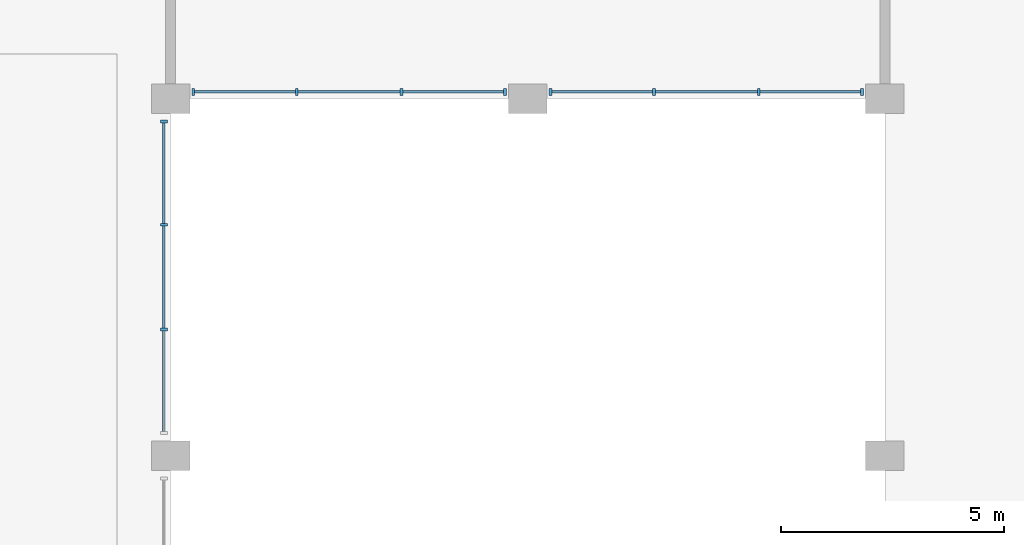
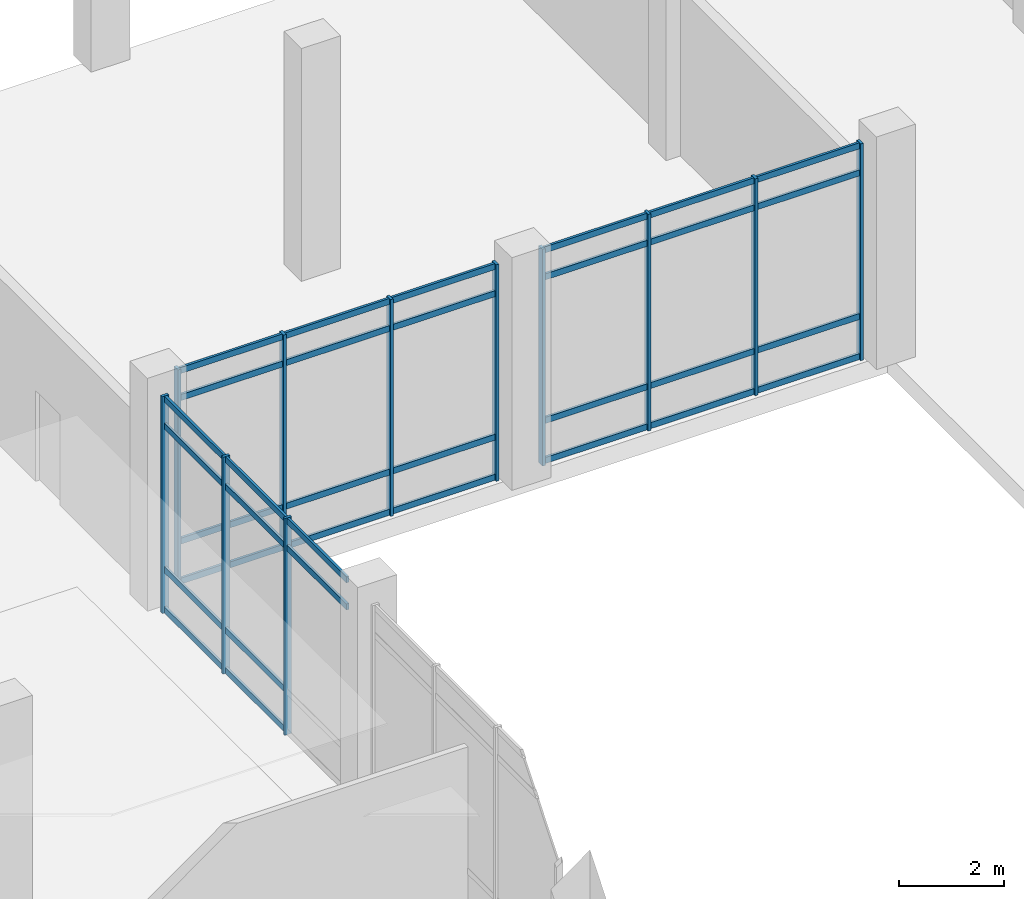
# One storey, part 14 of 42: 45 members, 3 elements without a shape of their own.
"""IFC4 building model written with IfcOpenShell, lengths in metres."""

import ifcopenshell
import ifcopenshell.guid

model = None  # the IFC model being written
_history = None  # IfcOwnerHistory: only IFC2X3 demands one
_inside = {}  # id of a spatial element -> (the spatial element, [elements in it])
_under = {}  # id of a project, library or spatial element -> (it, [spatial elements below it])
_declared = {}  # id of a project -> (the project, [libraries it declares])
_typed = {}  # id of a type object -> (the type object, [elements of that type])
_made_of = {}  # id of a material, layer set ... -> (it, [elements and type objects made of it])


def new_model(schema):
    """Start an empty IFC model of exactly this schema.

    Asked for "IFC4X3", IfcOpenShell would pick the latest addendum, in which some entities
    have other attributes; the version numbers below select the first issue.
    IFC2X3 requires an IfcOwnerHistory on every rooted entity: one is made here for all.
    """
    global model, _history
    if schema == "IFC4X3":
        model = ifcopenshell.file(schema_version=(4, 3, 0, 0))
    else:
        model = ifcopenshell.file(schema=schema)
    _inside.clear()
    _under.clear()
    _declared.clear()
    _typed.clear()
    _made_of.clear()
    _history = None
    if model.schema == "IFC2X3":
        org = make("IfcOrganization", Name="unknown")
        user = make(
            "IfcPersonAndOrganization",
            ThePerson=make("IfcPerson", FamilyName="unknown"),
            TheOrganization=org,
        )
        app = make(
            "IfcApplication",
            ApplicationDeveloper=org,
            Version="unknown",
            ApplicationFullName="unknown",
            ApplicationIdentifier="unknown",
        )
        _history = make(
            "IfcOwnerHistory",
            OwningUser=user,
            OwningApplication=app,
            ChangeAction="ADDED",
            CreationDate=0,
        )
    return model


def make(cls, **values):
    """One entity of the class cls with the attributes given. An attribute that is None is left unset."""
    return model.create_entity(
        cls, **{name: value for name, value in values.items() if value is not None}
    )


def rooted(cls, **values):
    """An entity with a GlobalId (a new one), such as an element, a storey or a relation."""
    return make(cls, GlobalId=ifcopenshell.guid.new(), OwnerHistory=_history, **values)


def si_unit(unit_type, name, prefix=None):
    """IfcSIUnit, for example si_unit("LENGTHUNIT", "METRE", prefix="MILLI")."""
    return make("IfcSIUnit", UnitType=unit_type, Prefix=prefix, Name=name)


def assignment(units):
    """IfcUnitAssignment: the units of a project."""
    return None if units is None else make("IfcUnitAssignment", Units=units)


def point(xyz):
    """IfcCartesianPoint."""
    return None if xyz is None else make("IfcCartesianPoint", Coordinates=xyz)


def direction(xyz):
    """IfcDirection."""
    return None if xyz is None else make("IfcDirection", DirectionRatios=xyz)


def frame(location, z_axis=None, x_axis=None):
    """IfcAxis2Placement3D, a coordinate frame: its origin and axes. An axis left out is left unset."""
    return make(
        "IfcAxis2Placement3D",
        Location=point(location),
        Axis=direction(z_axis),
        RefDirection=direction(x_axis),
    )


def frame_2d(location, x_axis=None):
    """IfcAxis2Placement2D, a coordinate frame in the plane: its origin and x axis."""
    return make(
        "IfcAxis2Placement2D", Location=point(location), RefDirection=direction(x_axis)
    )


def origin():
    """The frame at (0, 0, 0) with its axes left unset."""
    return frame((0.0, 0.0, 0.0))


def origin_2d():
    """The frame at (0, 0) in the plane with its x axis left unset."""
    return frame_2d((0.0, 0.0))


def place(relative_to, where):
    """IfcLocalPlacement: puts the frame where relative to a parent placement (None: the world)."""
    return make(
        "IfcLocalPlacement", PlacementRelTo=relative_to, RelativePlacement=where
    )


def context(
    kind, dimensions, precision=None, world=None, true_north=None, identifier=None
):
    """IfcGeometricRepresentationContext, for example the 3D "Model" context."""
    return make(
        "IfcGeometricRepresentationContext",
        ContextIdentifier=identifier,
        ContextType=kind,
        CoordinateSpaceDimension=dimensions,
        Precision=precision,
        WorldCoordinateSystem=world,
        TrueNorth=true_north,
    )


def subcontext(parent, identifier, kind, view, scale=None):
    """IfcGeometricRepresentationSubContext, for example "Body" below "Model"."""
    return make(
        "IfcGeometricRepresentationSubContext",
        ContextIdentifier=identifier,
        ContextType=kind,
        ParentContext=parent,
        TargetScale=scale,
        TargetView=view,
    )


def project(units=None, contexts=None):
    """IfcProject with its units and contexts."""
    return rooted(
        "IfcProject",
        Name="project",
        RepresentationContexts=contexts,
        UnitsInContext=assignment(units),
    )


def spatial(cls, under=None, at=None, **own):
    """A site, building, storey or space (cls), placed at a placement, below another one or the project."""
    s = rooted(cls, ObjectPlacement=at, **own)
    if under is not None:
        _under.setdefault(under.id(), (under, []))[1].append(s)
    return s


def profile(cls, at=None, kind="AREA", **sizes):
    """A parametric profile (cls). Its sizes go by their IFC names, for example OverallWidth=200.0."""
    return make(cls, ProfileType=kind, Position=at, **sizes)


def rectangle(**sizes):
    """IfcRectangleProfileDef."""
    return profile("IfcRectangleProfileDef", **sizes)


def extrude(swept, where, along, depth):
    """IfcExtrudedAreaSolid: the profile swept, set in the frame where, extruded along a direction by depth."""
    return make(
        "IfcExtrudedAreaSolid",
        SweptArea=swept,
        Position=where,
        ExtrudedDirection=direction(along),
        Depth=depth,
    )


def shape(context_of_items, identifier, shape_type, items):
    """IfcShapeRepresentation: the items that make up one representation, for example the "Body"."""
    return make(
        "IfcShapeRepresentation",
        ContextOfItems=context_of_items,
        RepresentationIdentifier=identifier,
        RepresentationType=shape_type,
        Items=items,
    )


def material(Name=None, Category=None):
    """IfcMaterial."""
    return make("IfcMaterial", Name=Name, Category=Category)


def material_profile(
    of_material, cross_section, Name=None, Category=None, Priority=None
):
    """IfcMaterialProfile: a cross section and its material."""
    return make(
        "IfcMaterialProfile",
        Name=Name,
        Material=of_material,
        Profile=cross_section,
        Priority=Priority,
        Category=Category,
    )


def profile_set(profiles, Name=None, composite=None):
    """IfcMaterialProfileSet."""
    return make(
        "IfcMaterialProfileSet",
        Name=Name,
        MaterialProfiles=profiles,
        CompositeProfile=composite,
    )


def made_of(thing, what):
    """Note that an element or type object is made of a material, layer set ...; save() writes the relation."""
    if what is not None:
        _made_of.setdefault(what.id(), (what, []))[1].append(thing)
    return thing


def type_object(cls, material=None, **own):
    """A type object (cls), such as IfcWallType, which elements share."""
    return made_of(rooted(cls, **own), material)


def element(
    cls,
    number,
    at=None,
    inside=None,
    cuts=None,
    type_object=None,
    material=None,
    context=None,
    identifier="Body",
    shape_type=None,
    held_by="IfcProductDefinitionShape",
    body=None,
    shapes=None,
    **own,
):
    """One element of the class cls, such as IfcWall. Its Tag is "e" and its number.

    at: its placement. inside: the storey or other place that contains it. cuts: it is an
    opening in that element (IfcRelVoidsElement). A single representation is given by context,
    identifier, shape_type and body (its items); several are given by shapes. held_by: the class
    of the entity that holds the representations. save() writes the other relations.
    """
    e = rooted(cls, Tag="e%d" % number, ObjectPlacement=at, **own)
    if body is not None:
        shapes = [shape(context, identifier, shape_type, body)]
    if shapes is not None:
        e.Representation = make(held_by, Representations=shapes)
    if inside is not None:
        _inside.setdefault(inside.id(), (inside, []))[1].append(e)
    if cuts is not None:
        rooted(
            "IfcRelVoidsElement", RelatingBuildingElement=cuts, RelatedOpeningElement=e
        )
    if type_object is not None:
        _typed.setdefault(type_object.id(), (type_object, []))[1].append(e)
    return made_of(e, material)


def aggregate(whole, parts):
    """IfcRelAggregates: a whole, such as a stair, and the parts it consists of."""
    return rooted("IfcRelAggregates", RelatingObject=whole, RelatedObjects=parts)


def save(model, path):
    """Write the relations noted so far, then the file.

    IfcRelAggregates (storeys below a building ...), IfcRelContainedInSpatialStructure (elements
    in a storey), IfcRelDefinesByType, IfcRelAssociatesMaterial and IfcRelDeclares: one each for
    every whole, place, type object, material and project.
    """
    for whole, parts in _under.values():
        aggregate(whole, parts)
    for where, things in _inside.values():
        rooted(
            "IfcRelContainedInSpatialStructure",
            RelatedElements=things,
            RelatingStructure=where,
        )
    for kind, things in _typed.values():
        rooted("IfcRelDefinesByType", RelatedObjects=things, RelatingType=kind)
    for what, things in _made_of.values():
        rooted("IfcRelAssociatesMaterial", RelatedObjects=things, RelatingMaterial=what)
    for by, libraries in _declared.values():
        rooted("IfcRelDeclares", RelatingContext=by, RelatedDefinitions=libraries)
    model.write(path)


model = new_model("IFC4")

# Units and contexts
model_context = context("Model", 3, precision=1e-05, world=origin(), true_north=direction((0.0, 1.0)))
body_context = subcontext(model_context, "Body", "Model", "MODEL_VIEW")
ifc_project = project(units=[si_unit("LENGTHUNIT", "METRE"), si_unit("AREAUNIT", "SQUARE_METRE"), si_unit("VOLUMEUNIT", "CUBIC_METRE"), si_unit("PLANEANGLEUNIT", "RADIAN"), si_unit("MASSUNIT", "GRAM", prefix="KILO")], contexts=[model_context])

# Site, building, storey
site_placement = place(None, origin())
site = spatial("IfcSite", under=ifc_project, at=site_placement, CompositionType="ELEMENT")
building_placement = place(site_placement, origin())
building = spatial("IfcBuilding", under=site, at=building_placement, Name="Pecanmere Concourse Central Library", CompositionType="ELEMENT")
storey_placement = place(building_placement, origin())
storey = spatial("IfcBuildingStorey", under=building, at=storey_placement, Name="L01", CompositionType="ELEMENT", Elevation=0.0)

# Curtain wall, members
ifc_material_1 = material(Name="Clear anodized aluminium alloy 6063-T6", Category="aluminium")
curtain_wall_type = type_object("IfcCurtainWallType", Name="CW_CLOISTER_GLAZ", PredefinedType="USERDEFINED", material=ifc_material_1)
curtain_wall_1_placement = place(storey_placement, origin())
curtain_wall_1 = element("IfcCurtainWall", 1, at=curtain_wall_1_placement, inside=storey, type_object=curtain_wall_type, Name="Unitised Curtain Wall CW-04 L01-105", ObjectType="UNITISED CURTAIN WALL", PredefinedType="USERDEFINED")
ifc_material_2 = material(Name="Clear anodized aluminium alloy 6063-T6", Category="aluminium")
ifc_material_profile_1 = material_profile(ifc_material_2, rectangle(XDim=0.06005859375, YDim=0.14990234375, at=origin_2d()), Name="AL 60x150")
ifc_profile_set_1 = profile_set([ifc_material_profile_1], Name="Clear anodized aluminium alloy 6063-T6")
member_type_1 = type_object("IfcMemberType", Name="CWM_150x60", PredefinedType="MULLION", material=ifc_profile_set_1)
member_1_placement = place(storey_placement, frame((127.85009765625, 84.82666015625, 0.0), z_axis=(0.0, 0.0, 1.0), x_axis=(0.0, 1.0, 0.0)))
member_1 = element("IfcMember", 2, at=member_1_placement, type_object=member_type_1, Name="CW-04 Mullion 2", PredefinedType="MULLION", context=body_context, shape_type="SweptSolid", body=[
    extrude(rectangle(XDim=0.06005859375, YDim=0.14990234375, at=origin_2d()), origin(), (0.0, 0.0, 1.0), 5.030029296875),
])
member_2_placement = place(storey_placement, frame((127.85009765625, 87.17333984375, 0.0), z_axis=(0.0, 0.0, 1.0), x_axis=(0.0, 1.0, 0.0)))
member_2 = element("IfcMember", 3, at=member_2_placement, type_object=member_type_1, Name="CW-04 Mullion 3", PredefinedType="MULLION", context=body_context, shape_type="SweptSolid", body=[
    extrude(rectangle(XDim=0.06005859375, YDim=0.14990234375, at=origin_2d()), origin(), (0.0, 0.0, 1.0), 5.030029296875),
])
member_3_placement = place(storey_placement, frame((127.85009765625, 89.489990234375, 0.0), z_axis=(0.0, 0.0, 1.0), x_axis=(0.0, 1.0, 0.0)))
member_3 = element("IfcMember", 4, at=member_3_placement, type_object=member_type_1, Name="CW-04 Mullion 4", PredefinedType="MULLION", context=body_context, shape_type="SweptSolid", body=[
    extrude(rectangle(XDim=0.06005859375, YDim=0.14990234375, at=origin_2d()), origin(), (0.0, 0.0, 1.0), 5.030029296875),
])

curtain_wall_2_placement = place(storey_placement, origin())
curtain_wall_2 = element("IfcCurtainWall", 5, at=curtain_wall_2_placement, inside=storey, type_object=curtain_wall_type, Name="Unitised Curtain Wall CW-04 L01-108", ObjectType="UNITISED CURTAIN WALL", PredefinedType="USERDEFINED")
member_4_placement = place(storey_placement, frame((135.489990234375, 90.14990234375, 0.0), z_axis=(0.0, 0.0, 1.0), x_axis=(-1.0, 0.0, 0.0)))
member_4 = element("IfcMember", 6, at=member_4_placement, type_object=member_type_1, Name="CW-04 Mullion 1", PredefinedType="MULLION", context=body_context, shape_type="SweptSolid", body=[
    extrude(rectangle(XDim=0.06005859375, YDim=0.14990234375, at=origin_2d()), origin(), (0.0, 0.0, 1.0), 5.030029296875),
])
member_5_placement = place(storey_placement, frame((133.17333984375, 90.14990234375, 0.0), z_axis=(0.0, 0.0, 1.0), x_axis=(-1.0, 0.0, 0.0)))
member_5 = element("IfcMember", 7, at=member_5_placement, type_object=member_type_1, Name="CW-04 Mullion 2", PredefinedType="MULLION", context=body_context, shape_type="SweptSolid", body=[
    extrude(rectangle(XDim=0.06005859375, YDim=0.14990234375, at=origin_2d()), origin(), (0.0, 0.0, 1.0), 5.030029296875),
])
member_6_placement = place(storey_placement, frame((130.82666015625, 90.14990234375, 0.0), z_axis=(0.0, 0.0, 1.0), x_axis=(-1.0, 0.0, 0.0)))
member_6 = element("IfcMember", 8, at=member_6_placement, type_object=member_type_1, Name="CW-04 Mullion 3", PredefinedType="MULLION", context=body_context, shape_type="SweptSolid", body=[
    extrude(rectangle(XDim=0.06005859375, YDim=0.14990234375, at=origin_2d()), origin(), (0.0, 0.0, 1.0), 5.030029296875),
])
member_7_placement = place(storey_placement, frame((128.510009765625, 90.14990234375, 0.0), z_axis=(0.0, 0.0, 1.0), x_axis=(-1.0, 0.0, 0.0)))
member_7 = element("IfcMember", 9, at=member_7_placement, type_object=member_type_1, Name="CW-04 Mullion 4", PredefinedType="MULLION", context=body_context, shape_type="SweptSolid", body=[
    extrude(rectangle(XDim=0.06005859375, YDim=0.14990234375, at=origin_2d()), origin(), (0.0, 0.0, 1.0), 5.030029296875),
])

curtain_wall_3_placement = place(storey_placement, origin())
curtain_wall_3 = element("IfcCurtainWall", 10, at=curtain_wall_3_placement, inside=storey, type_object=curtain_wall_type, Name="Unitised Curtain Wall CW-04 L01-110", ObjectType="UNITISED CURTAIN WALL", PredefinedType="USERDEFINED")
member_8_placement = place(storey_placement, frame((143.489990234375, 90.14990234375, 0.0), z_axis=(0.0, 0.0, 1.0), x_axis=(-1.0, 0.0, 0.0)))
member_8 = element("IfcMember", 11, at=member_8_placement, type_object=member_type_1, Name="CW-04 Mullion 1", PredefinedType="MULLION", context=body_context, shape_type="SweptSolid", body=[
    extrude(rectangle(XDim=0.06005859375, YDim=0.14990234375, at=origin_2d()), origin(), (0.0, 0.0, 1.0), 5.030029296875),
])
member_9_placement = place(storey_placement, frame((141.17333984375, 90.14990234375, 0.0), z_axis=(0.0, 0.0, 1.0), x_axis=(-1.0, 0.0, 0.0)))
member_9 = element("IfcMember", 12, at=member_9_placement, type_object=member_type_1, Name="CW-04 Mullion 2", PredefinedType="MULLION", context=body_context, shape_type="SweptSolid", body=[
    extrude(rectangle(XDim=0.06005859375, YDim=0.14990234375, at=origin_2d()), origin(), (0.0, 0.0, 1.0), 5.030029296875),
])
member_10_placement = place(storey_placement, frame((138.82666015625, 90.14990234375, 0.0), z_axis=(0.0, 0.0, 1.0), x_axis=(-1.0, 0.0, 0.0)))
member_10 = element("IfcMember", 13, at=member_10_placement, type_object=member_type_1, Name="CW-04 Mullion 3", PredefinedType="MULLION", context=body_context, shape_type="SweptSolid", body=[
    extrude(rectangle(XDim=0.06005859375, YDim=0.14990234375, at=origin_2d()), origin(), (0.0, 0.0, 1.0), 5.030029296875),
])
member_11_placement = place(storey_placement, frame((136.510009765625, 90.14990234375, 0.0), z_axis=(0.0, 0.0, 1.0), x_axis=(-1.0, 0.0, 0.0)))
member_11 = element("IfcMember", 14, at=member_11_placement, type_object=member_type_1, Name="CW-04 Mullion 4", PredefinedType="MULLION", context=body_context, shape_type="SweptSolid", body=[
    extrude(rectangle(XDim=0.06005859375, YDim=0.14990234375, at=origin_2d()), origin(), (0.0, 0.0, 1.0), 5.030029296875),
])

# Member
ifc_material_3 = material(Name="Clear anodized aluminium alloy 6063-T6", Category="aluminium")
ifc_material_profile_2 = material_profile(ifc_material_3, rectangle(XDim=0.054931640625, YDim=0.139892578125, at=origin_2d()), Name="AL 55x140")
ifc_profile_set_2 = profile_set([ifc_material_profile_2], Name="Clear anodized aluminium alloy 6063-T6")
member_type_2 = type_object("IfcMemberType", Name="CWT_140x55", PredefinedType="USERDEFINED", material=ifc_profile_set_2)
member_12_placement = place(storey_placement, frame((127.85009765625, 82.5400390625, 4.330078125), z_axis=(0.0, 1.0, 0.0), x_axis=(-1.0, 0.0, 0.0)))
member_12 = element("IfcMember", 15, at=member_12_placement, type_object=member_type_2, Name="CW-04 Transom 1.3", ObjectType="TRANSOM", PredefinedType="USERDEFINED", context=body_context, shape_type="SweptSolid", body=[
    extrude(rectangle(XDim=0.054931640625, YDim=0.139892578125, at=origin_2d()), origin(), (0.0, 0.0, 1.0), 2.256591796875),
])

member_13_placement = place(storey_placement, frame((127.85009765625, 82.5400390625, 4.9599609375), z_axis=(0.0, 1.0, 0.0), x_axis=(-1.0, 0.0, 0.0)))
member_13 = element("IfcMember", 16, at=member_13_placement, type_object=member_type_2, Name="CW-04 Transom 1.4", ObjectType="TRANSOM", PredefinedType="USERDEFINED", context=body_context, shape_type="SweptSolid", body=[
    extrude(rectangle(XDim=0.054931640625, YDim=0.139892578125, at=origin_2d()), origin(), (0.0, 0.0, 1.0), 2.256591796875),
])

member_14_placement = place(storey_placement, frame((127.85009765625, 84.856689453125, 0.070068359375), z_axis=(0.0, 1.0, 0.0), x_axis=(-1.0, 0.0, 0.0)))
member_14 = element("IfcMember", 17, at=member_14_placement, type_object=member_type_2, Name="CW-04 Transom 2.1", ObjectType="TRANSOM", PredefinedType="USERDEFINED", context=body_context, shape_type="SweptSolid", body=[
    extrude(rectangle(XDim=0.054931640625, YDim=0.139892578125, at=origin_2d()), origin(), (0.0, 0.0, 1.0), 2.28662109375),
])

member_15_placement = place(storey_placement, frame((127.85009765625, 84.856689453125, 1.0), z_axis=(0.0, 1.0, 0.0), x_axis=(-1.0, 0.0, 0.0)))
member_15 = element("IfcMember", 18, at=member_15_placement, type_object=member_type_2, Name="CW-04 Transom 2.2", ObjectType="TRANSOM", PredefinedType="USERDEFINED", context=body_context, shape_type="SweptSolid", body=[
    extrude(rectangle(XDim=0.054931640625, YDim=0.139892578125, at=origin_2d()), origin(), (0.0, 0.0, 1.0), 2.28662109375),
])

member_16_placement = place(storey_placement, frame((127.85009765625, 84.856689453125, 4.330078125), z_axis=(0.0, 1.0, 0.0), x_axis=(-1.0, 0.0, 0.0)))
member_16 = element("IfcMember", 19, at=member_16_placement, type_object=member_type_2, Name="CW-04 Transom 2.3", ObjectType="TRANSOM", PredefinedType="USERDEFINED", context=body_context, shape_type="SweptSolid", body=[
    extrude(rectangle(XDim=0.054931640625, YDim=0.139892578125, at=origin_2d()), origin(), (0.0, 0.0, 1.0), 2.28662109375),
])

member_17_placement = place(storey_placement, frame((127.85009765625, 84.856689453125, 4.9599609375), z_axis=(0.0, 1.0, 0.0), x_axis=(-1.0, 0.0, 0.0)))
member_17 = element("IfcMember", 20, at=member_17_placement, type_object=member_type_2, Name="CW-04 Transom 2.4", ObjectType="TRANSOM", PredefinedType="USERDEFINED", context=body_context, shape_type="SweptSolid", body=[
    extrude(rectangle(XDim=0.054931640625, YDim=0.139892578125, at=origin_2d()), origin(), (0.0, 0.0, 1.0), 2.28662109375),
])

member_18_placement = place(storey_placement, frame((127.85009765625, 87.203369140625, 0.070068359375), z_axis=(0.0, 1.0, 0.0), x_axis=(-1.0, 0.0, 0.0)))
member_18 = element("IfcMember", 21, at=member_18_placement, type_object=member_type_2, Name="CW-04 Transom 3.1", ObjectType="TRANSOM", PredefinedType="USERDEFINED", context=body_context, shape_type="SweptSolid", body=[
    extrude(rectangle(XDim=0.054931640625, YDim=0.139892578125, at=origin_2d()), origin(), (0.0, 0.0, 1.0), 2.256591796875),
])

member_19_placement = place(storey_placement, frame((127.85009765625, 87.203369140625, 1.0), z_axis=(0.0, 1.0, 0.0), x_axis=(-1.0, 0.0, 0.0)))
member_19 = element("IfcMember", 22, at=member_19_placement, type_object=member_type_2, Name="CW-04 Transom 3.2", ObjectType="TRANSOM", PredefinedType="USERDEFINED", context=body_context, shape_type="SweptSolid", body=[
    extrude(rectangle(XDim=0.054931640625, YDim=0.139892578125, at=origin_2d()), origin(), (0.0, 0.0, 1.0), 2.256591796875),
])

member_20_placement = place(storey_placement, frame((127.85009765625, 87.203369140625, 4.330078125), z_axis=(0.0, 1.0, 0.0), x_axis=(-1.0, 0.0, 0.0)))
member_20 = element("IfcMember", 23, at=member_20_placement, type_object=member_type_2, Name="CW-04 Transom 3.3", ObjectType="TRANSOM", PredefinedType="USERDEFINED", context=body_context, shape_type="SweptSolid", body=[
    extrude(rectangle(XDim=0.054931640625, YDim=0.139892578125, at=origin_2d()), origin(), (0.0, 0.0, 1.0), 2.256591796875),
])

member_21_placement = place(storey_placement, frame((127.85009765625, 87.203369140625, 4.9599609375), z_axis=(0.0, 1.0, 0.0), x_axis=(-1.0, 0.0, 0.0)))
member_21 = element("IfcMember", 24, at=member_21_placement, type_object=member_type_2, Name="CW-04 Transom 3.4", ObjectType="TRANSOM", PredefinedType="USERDEFINED", context=body_context, shape_type="SweptSolid", body=[
    extrude(rectangle(XDim=0.054931640625, YDim=0.139892578125, at=origin_2d()), origin(), (0.0, 0.0, 1.0), 2.256591796875),
])

aggregate(curtain_wall_1, [member_1, member_2, member_3, member_12, member_13, member_14, member_15, member_16, member_17, member_18, member_19, member_20, member_21])

member_22_placement = place(storey_placement, frame((135.4599609375, 90.14990234375, 0.070068359375), z_axis=(-1.0, 0.0, 0.0), x_axis=(0.0, -1.0, 0.0)))
member_22 = element("IfcMember", 25, at=member_22_placement, type_object=member_type_2, Name="CW-04 Transom 1.1", ObjectType="TRANSOM", PredefinedType="USERDEFINED", context=body_context, shape_type="SweptSolid", body=[
    extrude(rectangle(XDim=0.054931640625, YDim=0.139892578125, at=origin_2d()), origin(), (0.0, 0.0, 1.0), 2.256591796875),
])

member_23_placement = place(storey_placement, frame((135.4599609375, 90.14990234375, 1.0), z_axis=(-1.0, 0.0, 0.0), x_axis=(0.0, -1.0, 0.0)))
member_23 = element("IfcMember", 26, at=member_23_placement, type_object=member_type_2, Name="CW-04 Transom 1.2", ObjectType="TRANSOM", PredefinedType="USERDEFINED", context=body_context, shape_type="SweptSolid", body=[
    extrude(rectangle(XDim=0.054931640625, YDim=0.139892578125, at=origin_2d()), origin(), (0.0, 0.0, 1.0), 2.256591796875),
])

member_24_placement = place(storey_placement, frame((135.4599609375, 90.14990234375, 4.330078125), z_axis=(-1.0, 0.0, 0.0), x_axis=(0.0, -1.0, 0.0)))
member_24 = element("IfcMember", 27, at=member_24_placement, type_object=member_type_2, Name="CW-04 Transom 1.3", ObjectType="TRANSOM", PredefinedType="USERDEFINED", context=body_context, shape_type="SweptSolid", body=[
    extrude(rectangle(XDim=0.054931640625, YDim=0.139892578125, at=origin_2d()), origin(), (0.0, 0.0, 1.0), 2.256591796875),
])

member_25_placement = place(storey_placement, frame((135.4599609375, 90.14990234375, 4.9599609375), z_axis=(-1.0, 0.0, 0.0), x_axis=(0.0, -1.0, 0.0)))
member_25 = element("IfcMember", 28, at=member_25_placement, type_object=member_type_2, Name="CW-04 Transom 1.4", ObjectType="TRANSOM", PredefinedType="USERDEFINED", context=body_context, shape_type="SweptSolid", body=[
    extrude(rectangle(XDim=0.054931640625, YDim=0.139892578125, at=origin_2d()), origin(), (0.0, 0.0, 1.0), 2.256591796875),
])

member_26_placement = place(storey_placement, frame((133.143310546875, 90.14990234375, 0.070068359375), z_axis=(-1.0, 0.0, 0.0), x_axis=(0.0, -1.0, 0.0)))
member_26 = element("IfcMember", 29, at=member_26_placement, type_object=member_type_2, Name="CW-04 Transom 2.1", ObjectType="TRANSOM", PredefinedType="USERDEFINED", context=body_context, shape_type="SweptSolid", body=[
    extrude(rectangle(XDim=0.054931640625, YDim=0.139892578125, at=origin_2d()), origin(), (0.0, 0.0, 1.0), 2.28662109375),
])

member_27_placement = place(storey_placement, frame((133.143310546875, 90.14990234375, 1.0), z_axis=(-1.0, 0.0, 0.0), x_axis=(0.0, -1.0, 0.0)))
member_27 = element("IfcMember", 30, at=member_27_placement, type_object=member_type_2, Name="CW-04 Transom 2.2", ObjectType="TRANSOM", PredefinedType="USERDEFINED", context=body_context, shape_type="SweptSolid", body=[
    extrude(rectangle(XDim=0.054931640625, YDim=0.139892578125, at=origin_2d()), origin(), (0.0, 0.0, 1.0), 2.28662109375),
])

member_28_placement = place(storey_placement, frame((133.143310546875, 90.14990234375, 4.330078125), z_axis=(-1.0, 0.0, 0.0), x_axis=(0.0, -1.0, 0.0)))
member_28 = element("IfcMember", 31, at=member_28_placement, type_object=member_type_2, Name="CW-04 Transom 2.3", ObjectType="TRANSOM", PredefinedType="USERDEFINED", context=body_context, shape_type="SweptSolid", body=[
    extrude(rectangle(XDim=0.054931640625, YDim=0.139892578125, at=origin_2d()), origin(), (0.0, 0.0, 1.0), 2.28662109375),
])

member_29_placement = place(storey_placement, frame((133.143310546875, 90.14990234375, 4.9599609375), z_axis=(-1.0, 0.0, 0.0), x_axis=(0.0, -1.0, 0.0)))
member_29 = element("IfcMember", 32, at=member_29_placement, type_object=member_type_2, Name="CW-04 Transom 2.4", ObjectType="TRANSOM", PredefinedType="USERDEFINED", context=body_context, shape_type="SweptSolid", body=[
    extrude(rectangle(XDim=0.054931640625, YDim=0.139892578125, at=origin_2d()), origin(), (0.0, 0.0, 1.0), 2.28662109375),
])

member_30_placement = place(storey_placement, frame((130.796630859375, 90.14990234375, 0.070068359375), z_axis=(-1.0, 0.0, 0.0), x_axis=(0.0, -1.0, 0.0)))
member_30 = element("IfcMember", 33, at=member_30_placement, type_object=member_type_2, Name="CW-04 Transom 3.1", ObjectType="TRANSOM", PredefinedType="USERDEFINED", context=body_context, shape_type="SweptSolid", body=[
    extrude(rectangle(XDim=0.054931640625, YDim=0.139892578125, at=origin_2d()), origin(), (0.0, 0.0, 1.0), 2.256591796875),
])

member_31_placement = place(storey_placement, frame((130.796630859375, 90.14990234375, 1.0), z_axis=(-1.0, 0.0, 0.0), x_axis=(0.0, -1.0, 0.0)))
member_31 = element("IfcMember", 34, at=member_31_placement, type_object=member_type_2, Name="CW-04 Transom 3.2", ObjectType="TRANSOM", PredefinedType="USERDEFINED", context=body_context, shape_type="SweptSolid", body=[
    extrude(rectangle(XDim=0.054931640625, YDim=0.139892578125, at=origin_2d()), origin(), (0.0, 0.0, 1.0), 2.256591796875),
])

member_32_placement = place(storey_placement, frame((130.796630859375, 90.14990234375, 4.330078125), z_axis=(-1.0, 0.0, 0.0), x_axis=(0.0, -1.0, 0.0)))
member_32 = element("IfcMember", 35, at=member_32_placement, type_object=member_type_2, Name="CW-04 Transom 3.3", ObjectType="TRANSOM", PredefinedType="USERDEFINED", context=body_context, shape_type="SweptSolid", body=[
    extrude(rectangle(XDim=0.054931640625, YDim=0.139892578125, at=origin_2d()), origin(), (0.0, 0.0, 1.0), 2.256591796875),
])

member_33_placement = place(storey_placement, frame((130.796630859375, 90.14990234375, 4.9599609375), z_axis=(-1.0, 0.0, 0.0), x_axis=(0.0, -1.0, 0.0)))
member_33 = element("IfcMember", 36, at=member_33_placement, type_object=member_type_2, Name="CW-04 Transom 3.4", ObjectType="TRANSOM", PredefinedType="USERDEFINED", context=body_context, shape_type="SweptSolid", body=[
    extrude(rectangle(XDim=0.054931640625, YDim=0.139892578125, at=origin_2d()), origin(), (0.0, 0.0, 1.0), 2.256591796875),
])

aggregate(curtain_wall_2, [member_4, member_5, member_6, member_7, member_22, member_23, member_24, member_25, member_26, member_27, member_28, member_29, member_30, member_31, member_32, member_33])

member_34_placement = place(storey_placement, frame((143.4599609375, 90.14990234375, 0.070068359375), z_axis=(-1.0, 0.0, 0.0), x_axis=(0.0, -1.0, 0.0)))
member_34 = element("IfcMember", 37, at=member_34_placement, type_object=member_type_2, Name="CW-04 Transom 1.1", ObjectType="TRANSOM", PredefinedType="USERDEFINED", context=body_context, shape_type="SweptSolid", body=[
    extrude(rectangle(XDim=0.054931640625, YDim=0.139892578125, at=origin_2d()), origin(), (0.0, 0.0, 1.0), 2.256591796875),
])

member_35_placement = place(storey_placement, frame((143.4599609375, 90.14990234375, 1.0), z_axis=(-1.0, 0.0, 0.0), x_axis=(0.0, -1.0, 0.0)))
member_35 = element("IfcMember", 38, at=member_35_placement, type_object=member_type_2, Name="CW-04 Transom 1.2", ObjectType="TRANSOM", PredefinedType="USERDEFINED", context=body_context, shape_type="SweptSolid", body=[
    extrude(rectangle(XDim=0.054931640625, YDim=0.139892578125, at=origin_2d()), origin(), (0.0, 0.0, 1.0), 2.256591796875),
])

member_36_placement = place(storey_placement, frame((143.4599609375, 90.14990234375, 4.330078125), z_axis=(-1.0, 0.0, 0.0), x_axis=(0.0, -1.0, 0.0)))
member_36 = element("IfcMember", 39, at=member_36_placement, type_object=member_type_2, Name="CW-04 Transom 1.3", ObjectType="TRANSOM", PredefinedType="USERDEFINED", context=body_context, shape_type="SweptSolid", body=[
    extrude(rectangle(XDim=0.054931640625, YDim=0.139892578125, at=origin_2d()), origin(), (0.0, 0.0, 1.0), 2.256591796875),
])

member_37_placement = place(storey_placement, frame((143.4599609375, 90.14990234375, 4.9599609375), z_axis=(-1.0, 0.0, 0.0), x_axis=(0.0, -1.0, 0.0)))
member_37 = element("IfcMember", 40, at=member_37_placement, type_object=member_type_2, Name="CW-04 Transom 1.4", ObjectType="TRANSOM", PredefinedType="USERDEFINED", context=body_context, shape_type="SweptSolid", body=[
    extrude(rectangle(XDim=0.054931640625, YDim=0.139892578125, at=origin_2d()), origin(), (0.0, 0.0, 1.0), 2.256591796875),
])

member_38_placement = place(storey_placement, frame((141.143310546875, 90.14990234375, 0.070068359375), z_axis=(-1.0, 0.0, 0.0), x_axis=(0.0, -1.0, 0.0)))
member_38 = element("IfcMember", 41, at=member_38_placement, type_object=member_type_2, Name="CW-04 Transom 2.1", ObjectType="TRANSOM", PredefinedType="USERDEFINED", context=body_context, shape_type="SweptSolid", body=[
    extrude(rectangle(XDim=0.054931640625, YDim=0.139892578125, at=origin_2d()), origin(), (0.0, 0.0, 1.0), 2.28662109375),
])

member_39_placement = place(storey_placement, frame((141.143310546875, 90.14990234375, 1.0), z_axis=(-1.0, 0.0, 0.0), x_axis=(0.0, -1.0, 0.0)))
member_39 = element("IfcMember", 42, at=member_39_placement, type_object=member_type_2, Name="CW-04 Transom 2.2", ObjectType="TRANSOM", PredefinedType="USERDEFINED", context=body_context, shape_type="SweptSolid", body=[
    extrude(rectangle(XDim=0.054931640625, YDim=0.139892578125, at=origin_2d()), origin(), (0.0, 0.0, 1.0), 2.28662109375),
])

member_40_placement = place(storey_placement, frame((141.143310546875, 90.14990234375, 4.330078125), z_axis=(-1.0, 0.0, 0.0), x_axis=(0.0, -1.0, 0.0)))
member_40 = element("IfcMember", 43, at=member_40_placement, type_object=member_type_2, Name="CW-04 Transom 2.3", ObjectType="TRANSOM", PredefinedType="USERDEFINED", context=body_context, shape_type="SweptSolid", body=[
    extrude(rectangle(XDim=0.054931640625, YDim=0.139892578125, at=origin_2d()), origin(), (0.0, 0.0, 1.0), 2.28662109375),
])

member_41_placement = place(storey_placement, frame((141.143310546875, 90.14990234375, 4.9599609375), z_axis=(-1.0, 0.0, 0.0), x_axis=(0.0, -1.0, 0.0)))
member_41 = element("IfcMember", 44, at=member_41_placement, type_object=member_type_2, Name="CW-04 Transom 2.4", ObjectType="TRANSOM", PredefinedType="USERDEFINED", context=body_context, shape_type="SweptSolid", body=[
    extrude(rectangle(XDim=0.054931640625, YDim=0.139892578125, at=origin_2d()), origin(), (0.0, 0.0, 1.0), 2.28662109375),
])

member_42_placement = place(storey_placement, frame((138.796630859375, 90.14990234375, 0.070068359375), z_axis=(-1.0, 0.0, 0.0), x_axis=(0.0, -1.0, 0.0)))
member_42 = element("IfcMember", 45, at=member_42_placement, type_object=member_type_2, Name="CW-04 Transom 3.1", ObjectType="TRANSOM", PredefinedType="USERDEFINED", context=body_context, shape_type="SweptSolid", body=[
    extrude(rectangle(XDim=0.054931640625, YDim=0.139892578125, at=origin_2d()), origin(), (0.0, 0.0, 1.0), 2.256591796875),
])

member_43_placement = place(storey_placement, frame((138.796630859375, 90.14990234375, 1.0), z_axis=(-1.0, 0.0, 0.0), x_axis=(0.0, -1.0, 0.0)))
member_43 = element("IfcMember", 46, at=member_43_placement, type_object=member_type_2, Name="CW-04 Transom 3.2", ObjectType="TRANSOM", PredefinedType="USERDEFINED", context=body_context, shape_type="SweptSolid", body=[
    extrude(rectangle(XDim=0.054931640625, YDim=0.139892578125, at=origin_2d()), origin(), (0.0, 0.0, 1.0), 2.256591796875),
])

member_44_placement = place(storey_placement, frame((138.796630859375, 90.14990234375, 4.330078125), z_axis=(-1.0, 0.0, 0.0), x_axis=(0.0, -1.0, 0.0)))
member_44 = element("IfcMember", 47, at=member_44_placement, type_object=member_type_2, Name="CW-04 Transom 3.3", ObjectType="TRANSOM", PredefinedType="USERDEFINED", context=body_context, shape_type="SweptSolid", body=[
    extrude(rectangle(XDim=0.054931640625, YDim=0.139892578125, at=origin_2d()), origin(), (0.0, 0.0, 1.0), 2.256591796875),
])

member_45_placement = place(storey_placement, frame((138.796630859375, 90.14990234375, 4.9599609375), z_axis=(-1.0, 0.0, 0.0), x_axis=(0.0, -1.0, 0.0)))
member_45 = element("IfcMember", 48, at=member_45_placement, type_object=member_type_2, Name="CW-04 Transom 3.4", ObjectType="TRANSOM", PredefinedType="USERDEFINED", context=body_context, shape_type="SweptSolid", body=[
    extrude(rectangle(XDim=0.054931640625, YDim=0.139892578125, at=origin_2d()), origin(), (0.0, 0.0, 1.0), 2.256591796875),
])

aggregate(curtain_wall_3, [member_8, member_9, member_10, member_11, member_34, member_35, member_36, member_37, member_38, member_39, member_40, member_41, member_42, member_43, member_44, member_45])

save(model, "model.ifc")
